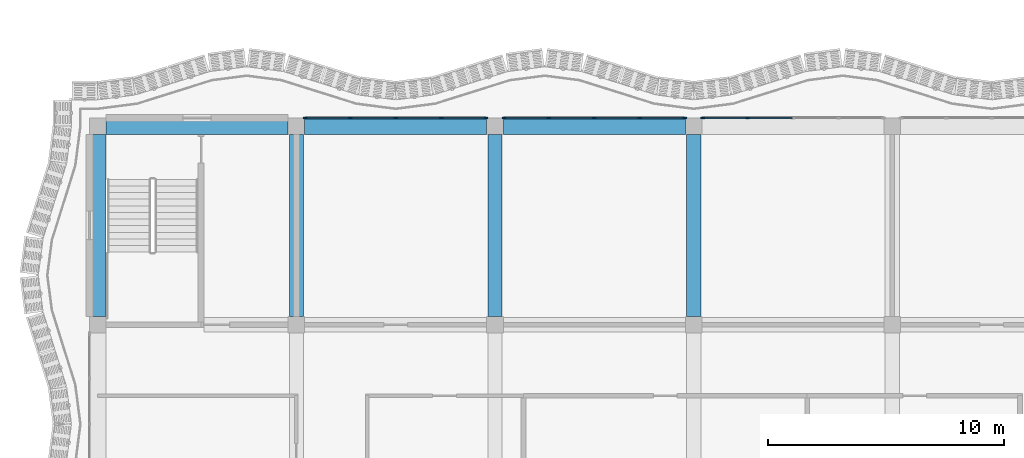
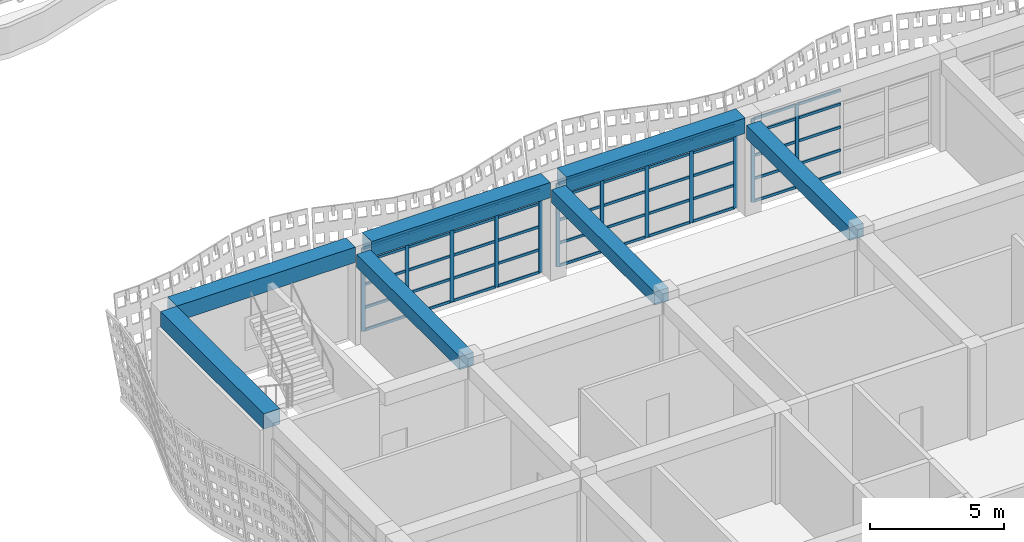
# One storey, part 9 of 163: 62 members, 7 beams, 3 elements without a shape of their own.
"""IFC4 building model written with IfcOpenShell, lengths in metres."""

from ifc_helpers import new_model, si_unit, direction, frame, origin, origin_2d, place, context, subcontext, project, spatial, rectangle, extrude, material, material_profile, profile_set, type_object, element, aggregate, save


model = new_model("IFC4")

# Units and contexts
model_context = context("Model", 3, precision=1e-05, world=origin(), true_north=direction((0.0, 1.0)))
body_context = subcontext(model_context, "Body", "Model", "MODEL_VIEW")
ifc_project = project(units=[si_unit("LENGTHUNIT", "METRE"), si_unit("AREAUNIT", "SQUARE_METRE"), si_unit("VOLUMEUNIT", "CUBIC_METRE"), si_unit("PLANEANGLEUNIT", "RADIAN"), si_unit("MASSUNIT", "GRAM", prefix="KILO")], contexts=[model_context])

# Site, building, storey
site_placement = place(None, origin())
site = spatial("IfcSite", under=ifc_project, at=site_placement, CompositionType="ELEMENT")
building_placement = place(site_placement, origin())
building = spatial("IfcBuilding", under=site, at=building_placement, Name="Rain Tree Exposition and Congress Centre", CompositionType="ELEMENT")
storey_placement = place(building_placement, frame((0.0, 0.0, 10.5)))
storey = spatial("IfcBuildingStorey", under=building, at=storey_placement, Name="L02", CompositionType="ELEMENT", Elevation=10.5)

# Beams
ifc_material_1 = material(Name="Precast concrete C50/60", Category="concrete")
ifc_material_profile_1 = material_profile(ifc_material_1, rectangle(XDim=0.60009765625, YDim=0.60009765625, at=origin_2d()), Name="RC 600x600")
ifc_profile_set_1 = profile_set([ifc_material_profile_1], Name="Precast concrete C50/60")
beam_type_1 = type_object("IfcBeamType", Name="Precast beam 600x600", PredefinedType="BEAM", material=ifc_profile_set_1)
for number, where, z_axis, x_axis, name in (
    (1, (8.39990234375, 42.35009765625, 3.85009765625), (0.0, 1.0, 0.0), (-1.0, 0.0, 0.0), "wing/beam/L02/L03/024"),
    (2, (16.800048828125, 42.35009765625, 3.85009765625), (0.0, 1.0, 0.0), (-1.0, 0.0, 0.0), "wing/beam/L02/L03/032"),
    (3, (25.199951171875, 42.35009765625, 3.85009765625), (0.0, 1.0, 0.0), (-1.0, 0.0, 0.0), "wing/beam/L02/L03/040"),
):
    element("IfcBeam", number, at=place(storey_placement, frame(where, z_axis=z_axis, x_axis=x_axis)), inside=storey, type_object=beam_type_1, Name=name, PredefinedType="BEAM", context=body_context, shape_type="SweptSolid", body=[
        extrude(rectangle(XDim=0.60009765625, YDim=0.60009765625, at=origin_2d()), origin(), (0.0, 0.0, 1.0), 7.699951171875),
    ])
ifc_material_2 = material(Name="Precast concrete C50/60", Category="concrete")
ifc_material_profile_2 = material_profile(ifc_material_2, rectangle(XDim=0.699951171875, YDim=0.699951171875, at=origin_2d()), Name="RC 700x700")
ifc_profile_set_2 = profile_set([ifc_material_profile_2], Name="Precast concrete C50/60")
beam_type_2 = type_object("IfcBeamType", Name="Precast spandrel beam 700x700", PredefinedType="SPANDREL", material=ifc_profile_set_2)
for number, where, z_axis, x_axis, name in (
    (4, (0.0, 42.35009765625, 4.14990234375), (0.0, 1.0, 0.0), (-1.0, 0.0, 0.0), "wing/beam/L02/L03/012"),
    (5, (0.35009765625, 50.39990234375, 4.14990234375), (1.0, 0.0, 0.0), (0.0, 1.0, 0.0), "wing/beam/L02/L03/061"),
    (6, (8.75, 50.39990234375, 4.14990234375), (1.0, 0.0, 0.0), (0.0, 1.0, 0.0), "wing/beam/L02/L03/063"),
):
    element("IfcBeam", number, at=place(storey_placement, frame(where, z_axis=z_axis, x_axis=x_axis)), inside=storey, type_object=beam_type_2, Name=name, PredefinedType="SPANDREL", context=body_context, shape_type="SweptSolid", body=[
        extrude(rectangle(XDim=0.699951171875, YDim=0.699951171875, at=origin_2d()), origin(), (0.0, 0.0, 1.0), 7.699951171875),
    ])
beam_placement = place(storey_placement, frame((17.14990234375, 50.39990234375, 4.14990234375), z_axis=(1.0, 0.0, 0.0), x_axis=(0.0, 1.0, 0.0)))
element("IfcBeam", 7, at=beam_placement, inside=storey, type_object=beam_type_2, Name="wing/beam/L02/L03/065", PredefinedType="SPANDREL", context=body_context, shape_type="SweptSolid", body=[
    extrude(rectangle(XDim=0.699951171875, YDim=0.699951171875, at=origin_2d()), origin(), (0.0, 0.0, 1.0), 7.7001953125),
])

# Curtain wall, members
ifc_material_3 = material(Name="Aluminium curtain wall", Category="aluminium")
curtain_wall_type = type_object("IfcCurtainWallType", Name="Wing curtain wall 1925", PredefinedType="NOTDEFINED", material=ifc_material_3)
curtain_wall_1_placement = place(storey_placement, origin())
curtain_wall_1 = element("IfcCurtainWall", 8, at=curtain_wall_1_placement, inside=storey, type_object=curtain_wall_type, Name="Curtain wall CWW304", PredefinedType="NOTDEFINED")
ifc_material_4 = material(Name="Aluminium", Category="aluminium")
ifc_material_profile_3 = material_profile(ifc_material_4, rectangle(XDim=0.06005859375, YDim=0.159912109375, at=origin_2d()), Name="Aluminium 60x160")
ifc_profile_set_3 = profile_set([ifc_material_profile_3], Name="Aluminium")
member_type_1 = type_object("IfcMemberType", Name="Wing mullion 60x160", PredefinedType="MULLION", material=ifc_profile_set_3)
member_1_placement = place(storey_placement, frame((8.780029296875, 50.75, 0.0), z_axis=(0.0, 0.0, 1.0), x_axis=(0.0, 1.0, 0.0)))
member_1 = element("IfcMember", 9, at=member_1_placement, type_object=member_type_1, Name="CWW304 mullion 1", PredefinedType="MULLION", context=body_context, shape_type="SweptSolid", body=[
    extrude(rectangle(XDim=0.06005859375, YDim=0.159912109375, at=origin_2d()), origin(), (0.0, 0.0, 1.0), 3.800048828125),
])
member_2_placement = place(storey_placement, frame((10.675048828125, 50.75, 0.0), z_axis=(0.0, 0.0, 1.0), x_axis=(0.0, 1.0, 0.0)))
member_2 = element("IfcMember", 10, at=member_2_placement, type_object=member_type_1, Name="CWW304 mullion 2", PredefinedType="MULLION", context=body_context, shape_type="SweptSolid", body=[
    extrude(rectangle(XDim=0.06005859375, YDim=0.159912109375, at=origin_2d()), origin(), (0.0, 0.0, 1.0), 3.800048828125),
])
member_3_placement = place(storey_placement, frame((12.60009765625, 50.75, 0.0), z_axis=(0.0, 0.0, 1.0), x_axis=(0.0, 1.0, 0.0)))
member_3 = element("IfcMember", 11, at=member_3_placement, type_object=member_type_1, Name="CWW304 mullion 3", PredefinedType="MULLION", context=body_context, shape_type="SweptSolid", body=[
    extrude(rectangle(XDim=0.06005859375, YDim=0.159912109375, at=origin_2d()), origin(), (0.0, 0.0, 1.0), 3.800048828125),
])
member_4_placement = place(storey_placement, frame((14.52490234375, 50.75, 0.0), z_axis=(0.0, 0.0, 1.0), x_axis=(0.0, 1.0, 0.0)))
member_4 = element("IfcMember", 12, at=member_4_placement, type_object=member_type_1, Name="CWW304 mullion 4", PredefinedType="MULLION", context=body_context, shape_type="SweptSolid", body=[
    extrude(rectangle(XDim=0.06005859375, YDim=0.159912109375, at=origin_2d()), origin(), (0.0, 0.0, 1.0), 3.800048828125),
])
member_5_placement = place(storey_placement, frame((16.419921875, 50.75, 0.0), z_axis=(0.0, 0.0, 1.0), x_axis=(0.0, 1.0, 0.0)))
member_5 = element("IfcMember", 13, at=member_5_placement, type_object=member_type_1, Name="CWW304 mullion 5", PredefinedType="MULLION", context=body_context, shape_type="SweptSolid", body=[
    extrude(rectangle(XDim=0.06005859375, YDim=0.159912109375, at=origin_2d()), origin(), (0.0, 0.0, 1.0), 3.800048828125),
])

curtain_wall_2_placement = place(storey_placement, origin())
curtain_wall_2 = element("IfcCurtainWall", 14, at=curtain_wall_2_placement, inside=storey, type_object=curtain_wall_type, Name="Curtain wall CWW305", PredefinedType="NOTDEFINED")
member_6_placement = place(storey_placement, frame((17.179931640625, 50.75, 0.0), z_axis=(0.0, 0.0, 1.0), x_axis=(0.0, 1.0, 0.0)))
member_6 = element("IfcMember", 15, at=member_6_placement, type_object=member_type_1, Name="CWW305 mullion 1", PredefinedType="MULLION", context=body_context, shape_type="SweptSolid", body=[
    extrude(rectangle(XDim=0.06005859375, YDim=0.159912109375, at=origin_2d()), origin(), (0.0, 0.0, 1.0), 3.800048828125),
])
member_7_placement = place(storey_placement, frame((19.074951171875, 50.75, 0.0), z_axis=(0.0, 0.0, 1.0), x_axis=(0.0, 1.0, 0.0)))
member_7 = element("IfcMember", 16, at=member_7_placement, type_object=member_type_1, Name="CWW305 mullion 2", PredefinedType="MULLION", context=body_context, shape_type="SweptSolid", body=[
    extrude(rectangle(XDim=0.06005859375, YDim=0.159912109375, at=origin_2d()), origin(), (0.0, 0.0, 1.0), 3.800048828125),
])
member_8_placement = place(storey_placement, frame((21.0, 50.75, 0.0), z_axis=(0.0, 0.0, 1.0), x_axis=(0.0, 1.0, 0.0)))
member_8 = element("IfcMember", 17, at=member_8_placement, type_object=member_type_1, Name="CWW305 mullion 3", PredefinedType="MULLION", context=body_context, shape_type="SweptSolid", body=[
    extrude(rectangle(XDim=0.06005859375, YDim=0.159912109375, at=origin_2d()), origin(), (0.0, 0.0, 1.0), 3.800048828125),
])
member_9_placement = place(storey_placement, frame((22.925048828125, 50.75, 0.0), z_axis=(0.0, 0.0, 1.0), x_axis=(0.0, 1.0, 0.0)))
member_9 = element("IfcMember", 18, at=member_9_placement, type_object=member_type_1, Name="CWW305 mullion 4", PredefinedType="MULLION", context=body_context, shape_type="SweptSolid", body=[
    extrude(rectangle(XDim=0.06005859375, YDim=0.159912109375, at=origin_2d()), origin(), (0.0, 0.0, 1.0), 3.800048828125),
])
member_10_placement = place(storey_placement, frame((24.820068359375, 50.75, 0.0), z_axis=(0.0, 0.0, 1.0), x_axis=(0.0, 1.0, 0.0)))
member_10 = element("IfcMember", 19, at=member_10_placement, type_object=member_type_1, Name="CWW305 mullion 5", PredefinedType="MULLION", context=body_context, shape_type="SweptSolid", body=[
    extrude(rectangle(XDim=0.06005859375, YDim=0.159912109375, at=origin_2d()), origin(), (0.0, 0.0, 1.0), 3.800048828125),
])

curtain_wall_3_placement = place(storey_placement, origin())
curtain_wall_3 = element("IfcCurtainWall", 20, at=curtain_wall_3_placement, inside=storey, type_object=curtain_wall_type, Name="Curtain wall CWW306", PredefinedType="NOTDEFINED")
member_11_placement = place(storey_placement, frame((25.580078125, 50.75, 0.0), z_axis=(0.0, 0.0, 1.0), x_axis=(0.0, 1.0, 0.0)))
member_11 = element("IfcMember", 21, at=member_11_placement, type_object=member_type_1, Name="CWW306 mullion 1", PredefinedType="MULLION", context=body_context, shape_type="SweptSolid", body=[
    extrude(rectangle(XDim=0.06005859375, YDim=0.159912109375, at=origin_2d()), origin(), (0.0, 0.0, 1.0), 3.800048828125),
])
member_12_placement = place(storey_placement, frame((27.47509765625, 50.75, 0.0), z_axis=(0.0, 0.0, 1.0), x_axis=(0.0, 1.0, 0.0)))
member_12 = element("IfcMember", 22, at=member_12_placement, type_object=member_type_1, Name="CWW306 mullion 2", PredefinedType="MULLION", context=body_context, shape_type="SweptSolid", body=[
    extrude(rectangle(XDim=0.06005859375, YDim=0.159912109375, at=origin_2d()), origin(), (0.0, 0.0, 1.0), 3.800048828125),
])

# Member
ifc_material_5 = material(Name="Aluminium", Category="aluminium")
ifc_material_profile_4 = material_profile(ifc_material_5, rectangle(XDim=0.06005859375, YDim=0.1201171875, at=origin_2d()), Name="Aluminium 60x120")
ifc_profile_set_4 = profile_set([ifc_material_profile_4], Name="Aluminium")
member_type_2 = type_object("IfcMemberType", Name="Wing transom 60x120", PredefinedType="USERDEFINED", material=ifc_profile_set_4)
member_13_placement = place(storey_placement, frame((8.81005859375, 50.75, 0.030029296875), z_axis=(1.0, 0.0, 0.0), x_axis=(0.0, 1.0, 0.0)))
member_13 = element("IfcMember", 23, at=member_13_placement, type_object=member_type_2, Name="CWW304 transom 1.1", ObjectType="TRANSOM", PredefinedType="USERDEFINED", context=body_context, shape_type="SweptSolid", body=[
    extrude(rectangle(XDim=0.06005859375, YDim=0.1201171875, at=origin_2d()), origin(), (0.0, 0.0, 1.0), 1.8349609375),
])

member_14_placement = place(storey_placement, frame((8.81005859375, 50.75, 1.050048828125), z_axis=(1.0, 0.0, 0.0), x_axis=(0.0, 1.0, 0.0)))
member_14 = element("IfcMember", 24, at=member_14_placement, type_object=member_type_2, Name="CWW304 transom 1.2", ObjectType="TRANSOM", PredefinedType="USERDEFINED", context=body_context, shape_type="SweptSolid", body=[
    extrude(rectangle(XDim=0.06005859375, YDim=0.1201171875, at=origin_2d()), origin(), (0.0, 0.0, 1.0), 1.8349609375),
])

member_15_placement = place(storey_placement, frame((8.81005859375, 50.75, 2.10009765625), z_axis=(1.0, 0.0, 0.0), x_axis=(0.0, 1.0, 0.0)))
member_15 = element("IfcMember", 25, at=member_15_placement, type_object=member_type_2, Name="CWW304 transom 1.3", ObjectType="TRANSOM", PredefinedType="USERDEFINED", context=body_context, shape_type="SweptSolid", body=[
    extrude(rectangle(XDim=0.06005859375, YDim=0.1201171875, at=origin_2d()), origin(), (0.0, 0.0, 1.0), 1.8349609375),
])

member_16_placement = place(storey_placement, frame((8.81005859375, 50.75, 3.14990234375), z_axis=(1.0, 0.0, 0.0), x_axis=(0.0, 1.0, 0.0)))
member_16 = element("IfcMember", 26, at=member_16_placement, type_object=member_type_2, Name="CWW304 transom 1.4", ObjectType="TRANSOM", PredefinedType="USERDEFINED", context=body_context, shape_type="SweptSolid", body=[
    extrude(rectangle(XDim=0.06005859375, YDim=0.1201171875, at=origin_2d()), origin(), (0.0, 0.0, 1.0), 1.8349609375),
])

member_17_placement = place(storey_placement, frame((8.81005859375, 50.75, 3.77001953125), z_axis=(1.0, 0.0, 0.0), x_axis=(0.0, 1.0, 0.0)))
member_17 = element("IfcMember", 27, at=member_17_placement, type_object=member_type_2, Name="CWW304 transom 1.5", ObjectType="TRANSOM", PredefinedType="USERDEFINED", context=body_context, shape_type="SweptSolid", body=[
    extrude(rectangle(XDim=0.06005859375, YDim=0.1201171875, at=origin_2d()), origin(), (0.0, 0.0, 1.0), 1.8349609375),
])

member_18_placement = place(storey_placement, frame((10.705078125, 50.75, 0.030029296875), z_axis=(1.0, 0.0, 0.0), x_axis=(0.0, 1.0, 0.0)))
member_18 = element("IfcMember", 28, at=member_18_placement, type_object=member_type_2, Name="CWW304 transom 2.1", ObjectType="TRANSOM", PredefinedType="USERDEFINED", context=body_context, shape_type="SweptSolid", body=[
    extrude(rectangle(XDim=0.06005859375, YDim=0.1201171875, at=origin_2d()), origin(), (0.0, 0.0, 1.0), 1.864990234375),
])

member_19_placement = place(storey_placement, frame((10.705078125, 50.75, 1.050048828125), z_axis=(1.0, 0.0, 0.0), x_axis=(0.0, 1.0, 0.0)))
member_19 = element("IfcMember", 29, at=member_19_placement, type_object=member_type_2, Name="CWW304 transom 2.2", ObjectType="TRANSOM", PredefinedType="USERDEFINED", context=body_context, shape_type="SweptSolid", body=[
    extrude(rectangle(XDim=0.06005859375, YDim=0.1201171875, at=origin_2d()), origin(), (0.0, 0.0, 1.0), 1.864990234375),
])

member_20_placement = place(storey_placement, frame((10.705078125, 50.75, 2.10009765625), z_axis=(1.0, 0.0, 0.0), x_axis=(0.0, 1.0, 0.0)))
member_20 = element("IfcMember", 30, at=member_20_placement, type_object=member_type_2, Name="CWW304 transom 2.3", ObjectType="TRANSOM", PredefinedType="USERDEFINED", context=body_context, shape_type="SweptSolid", body=[
    extrude(rectangle(XDim=0.06005859375, YDim=0.1201171875, at=origin_2d()), origin(), (0.0, 0.0, 1.0), 1.864990234375),
])

member_21_placement = place(storey_placement, frame((10.705078125, 50.75, 3.14990234375), z_axis=(1.0, 0.0, 0.0), x_axis=(0.0, 1.0, 0.0)))
member_21 = element("IfcMember", 31, at=member_21_placement, type_object=member_type_2, Name="CWW304 transom 2.4", ObjectType="TRANSOM", PredefinedType="USERDEFINED", context=body_context, shape_type="SweptSolid", body=[
    extrude(rectangle(XDim=0.06005859375, YDim=0.1201171875, at=origin_2d()), origin(), (0.0, 0.0, 1.0), 1.864990234375),
])

member_22_placement = place(storey_placement, frame((10.705078125, 50.75, 3.77001953125), z_axis=(1.0, 0.0, 0.0), x_axis=(0.0, 1.0, 0.0)))
member_22 = element("IfcMember", 32, at=member_22_placement, type_object=member_type_2, Name="CWW304 transom 2.5", ObjectType="TRANSOM", PredefinedType="USERDEFINED", context=body_context, shape_type="SweptSolid", body=[
    extrude(rectangle(XDim=0.06005859375, YDim=0.1201171875, at=origin_2d()), origin(), (0.0, 0.0, 1.0), 1.864990234375),
])

member_23_placement = place(storey_placement, frame((12.6298828125, 50.75, 0.030029296875), z_axis=(1.0, 0.0, 0.0), x_axis=(0.0, 1.0, 0.0)))
member_23 = element("IfcMember", 33, at=member_23_placement, type_object=member_type_2, Name="CWW304 transom 3.1", ObjectType="TRANSOM", PredefinedType="USERDEFINED", context=body_context, shape_type="SweptSolid", body=[
    extrude(rectangle(XDim=0.06005859375, YDim=0.1201171875, at=origin_2d()), origin(), (0.0, 0.0, 1.0), 1.865234375),
])

member_24_placement = place(storey_placement, frame((12.6298828125, 50.75, 1.050048828125), z_axis=(1.0, 0.0, 0.0), x_axis=(0.0, 1.0, 0.0)))
member_24 = element("IfcMember", 34, at=member_24_placement, type_object=member_type_2, Name="CWW304 transom 3.2", ObjectType="TRANSOM", PredefinedType="USERDEFINED", context=body_context, shape_type="SweptSolid", body=[
    extrude(rectangle(XDim=0.06005859375, YDim=0.1201171875, at=origin_2d()), origin(), (0.0, 0.0, 1.0), 1.865234375),
])

member_25_placement = place(storey_placement, frame((12.6298828125, 50.75, 2.10009765625), z_axis=(1.0, 0.0, 0.0), x_axis=(0.0, 1.0, 0.0)))
member_25 = element("IfcMember", 35, at=member_25_placement, type_object=member_type_2, Name="CWW304 transom 3.3", ObjectType="TRANSOM", PredefinedType="USERDEFINED", context=body_context, shape_type="SweptSolid", body=[
    extrude(rectangle(XDim=0.06005859375, YDim=0.1201171875, at=origin_2d()), origin(), (0.0, 0.0, 1.0), 1.865234375),
])

member_26_placement = place(storey_placement, frame((12.6298828125, 50.75, 3.14990234375), z_axis=(1.0, 0.0, 0.0), x_axis=(0.0, 1.0, 0.0)))
member_26 = element("IfcMember", 36, at=member_26_placement, type_object=member_type_2, Name="CWW304 transom 3.4", ObjectType="TRANSOM", PredefinedType="USERDEFINED", context=body_context, shape_type="SweptSolid", body=[
    extrude(rectangle(XDim=0.06005859375, YDim=0.1201171875, at=origin_2d()), origin(), (0.0, 0.0, 1.0), 1.865234375),
])

member_27_placement = place(storey_placement, frame((12.6298828125, 50.75, 3.77001953125), z_axis=(1.0, 0.0, 0.0), x_axis=(0.0, 1.0, 0.0)))
member_27 = element("IfcMember", 37, at=member_27_placement, type_object=member_type_2, Name="CWW304 transom 3.5", ObjectType="TRANSOM", PredefinedType="USERDEFINED", context=body_context, shape_type="SweptSolid", body=[
    extrude(rectangle(XDim=0.06005859375, YDim=0.1201171875, at=origin_2d()), origin(), (0.0, 0.0, 1.0), 1.865234375),
])

member_28_placement = place(storey_placement, frame((14.554931640625, 50.75, 0.030029296875), z_axis=(1.0, 0.0, 0.0), x_axis=(0.0, 1.0, 0.0)))
member_28 = element("IfcMember", 38, at=member_28_placement, type_object=member_type_2, Name="CWW304 transom 4.1", ObjectType="TRANSOM", PredefinedType="USERDEFINED", context=body_context, shape_type="SweptSolid", body=[
    extrude(rectangle(XDim=0.06005859375, YDim=0.1201171875, at=origin_2d()), origin(), (0.0, 0.0, 1.0), 1.8349609375),
])

member_29_placement = place(storey_placement, frame((14.554931640625, 50.75, 1.050048828125), z_axis=(1.0, 0.0, 0.0), x_axis=(0.0, 1.0, 0.0)))
member_29 = element("IfcMember", 39, at=member_29_placement, type_object=member_type_2, Name="CWW304 transom 4.2", ObjectType="TRANSOM", PredefinedType="USERDEFINED", context=body_context, shape_type="SweptSolid", body=[
    extrude(rectangle(XDim=0.06005859375, YDim=0.1201171875, at=origin_2d()), origin(), (0.0, 0.0, 1.0), 1.8349609375),
])

member_30_placement = place(storey_placement, frame((14.554931640625, 50.75, 2.10009765625), z_axis=(1.0, 0.0, 0.0), x_axis=(0.0, 1.0, 0.0)))
member_30 = element("IfcMember", 40, at=member_30_placement, type_object=member_type_2, Name="CWW304 transom 4.3", ObjectType="TRANSOM", PredefinedType="USERDEFINED", context=body_context, shape_type="SweptSolid", body=[
    extrude(rectangle(XDim=0.06005859375, YDim=0.1201171875, at=origin_2d()), origin(), (0.0, 0.0, 1.0), 1.8349609375),
])

member_31_placement = place(storey_placement, frame((14.554931640625, 50.75, 3.14990234375), z_axis=(1.0, 0.0, 0.0), x_axis=(0.0, 1.0, 0.0)))
member_31 = element("IfcMember", 41, at=member_31_placement, type_object=member_type_2, Name="CWW304 transom 4.4", ObjectType="TRANSOM", PredefinedType="USERDEFINED", context=body_context, shape_type="SweptSolid", body=[
    extrude(rectangle(XDim=0.06005859375, YDim=0.1201171875, at=origin_2d()), origin(), (0.0, 0.0, 1.0), 1.8349609375),
])

member_32_placement = place(storey_placement, frame((14.554931640625, 50.75, 3.77001953125), z_axis=(1.0, 0.0, 0.0), x_axis=(0.0, 1.0, 0.0)))
member_32 = element("IfcMember", 42, at=member_32_placement, type_object=member_type_2, Name="CWW304 transom 4.5", ObjectType="TRANSOM", PredefinedType="USERDEFINED", context=body_context, shape_type="SweptSolid", body=[
    extrude(rectangle(XDim=0.06005859375, YDim=0.1201171875, at=origin_2d()), origin(), (0.0, 0.0, 1.0), 1.8349609375),
])

aggregate(curtain_wall_1, [member_1, member_2, member_3, member_4, member_5, member_13, member_14, member_15, member_16, member_17, member_18, member_19, member_20, member_21, member_22, member_23, member_24, member_25, member_26, member_27, member_28, member_29, member_30, member_31, member_32])

member_33_placement = place(storey_placement, frame((17.2099609375, 50.75, 0.030029296875), z_axis=(1.0, 0.0, 0.0), x_axis=(0.0, 1.0, 0.0)))
member_33 = element("IfcMember", 43, at=member_33_placement, type_object=member_type_2, Name="CWW305 transom 1.1", ObjectType="TRANSOM", PredefinedType="USERDEFINED", context=body_context, shape_type="SweptSolid", body=[
    extrude(rectangle(XDim=0.06005859375, YDim=0.1201171875, at=origin_2d()), origin(), (0.0, 0.0, 1.0), 1.8349609375),
])

member_34_placement = place(storey_placement, frame((17.2099609375, 50.75, 1.050048828125), z_axis=(1.0, 0.0, 0.0), x_axis=(0.0, 1.0, 0.0)))
member_34 = element("IfcMember", 44, at=member_34_placement, type_object=member_type_2, Name="CWW305 transom 1.2", ObjectType="TRANSOM", PredefinedType="USERDEFINED", context=body_context, shape_type="SweptSolid", body=[
    extrude(rectangle(XDim=0.06005859375, YDim=0.1201171875, at=origin_2d()), origin(), (0.0, 0.0, 1.0), 1.8349609375),
])

member_35_placement = place(storey_placement, frame((17.2099609375, 50.75, 2.10009765625), z_axis=(1.0, 0.0, 0.0), x_axis=(0.0, 1.0, 0.0)))
member_35 = element("IfcMember", 45, at=member_35_placement, type_object=member_type_2, Name="CWW305 transom 1.3", ObjectType="TRANSOM", PredefinedType="USERDEFINED", context=body_context, shape_type="SweptSolid", body=[
    extrude(rectangle(XDim=0.06005859375, YDim=0.1201171875, at=origin_2d()), origin(), (0.0, 0.0, 1.0), 1.8349609375),
])

member_36_placement = place(storey_placement, frame((17.2099609375, 50.75, 3.14990234375), z_axis=(1.0, 0.0, 0.0), x_axis=(0.0, 1.0, 0.0)))
member_36 = element("IfcMember", 46, at=member_36_placement, type_object=member_type_2, Name="CWW305 transom 1.4", ObjectType="TRANSOM", PredefinedType="USERDEFINED", context=body_context, shape_type="SweptSolid", body=[
    extrude(rectangle(XDim=0.06005859375, YDim=0.1201171875, at=origin_2d()), origin(), (0.0, 0.0, 1.0), 1.8349609375),
])

member_37_placement = place(storey_placement, frame((17.2099609375, 50.75, 3.77001953125), z_axis=(1.0, 0.0, 0.0), x_axis=(0.0, 1.0, 0.0)))
member_37 = element("IfcMember", 47, at=member_37_placement, type_object=member_type_2, Name="CWW305 transom 1.5", ObjectType="TRANSOM", PredefinedType="USERDEFINED", context=body_context, shape_type="SweptSolid", body=[
    extrude(rectangle(XDim=0.06005859375, YDim=0.1201171875, at=origin_2d()), origin(), (0.0, 0.0, 1.0), 1.8349609375),
])

member_38_placement = place(storey_placement, frame((19.10498046875, 50.75, 0.030029296875), z_axis=(1.0, 0.0, 0.0), x_axis=(0.0, 1.0, 0.0)))
member_38 = element("IfcMember", 48, at=member_38_placement, type_object=member_type_2, Name="CWW305 transom 2.1", ObjectType="TRANSOM", PredefinedType="USERDEFINED", context=body_context, shape_type="SweptSolid", body=[
    extrude(rectangle(XDim=0.06005859375, YDim=0.1201171875, at=origin_2d()), origin(), (0.0, 0.0, 1.0), 1.864990234375),
])

member_39_placement = place(storey_placement, frame((19.10498046875, 50.75, 1.050048828125), z_axis=(1.0, 0.0, 0.0), x_axis=(0.0, 1.0, 0.0)))
member_39 = element("IfcMember", 49, at=member_39_placement, type_object=member_type_2, Name="CWW305 transom 2.2", ObjectType="TRANSOM", PredefinedType="USERDEFINED", context=body_context, shape_type="SweptSolid", body=[
    extrude(rectangle(XDim=0.06005859375, YDim=0.1201171875, at=origin_2d()), origin(), (0.0, 0.0, 1.0), 1.864990234375),
])

member_40_placement = place(storey_placement, frame((19.10498046875, 50.75, 2.10009765625), z_axis=(1.0, 0.0, 0.0), x_axis=(0.0, 1.0, 0.0)))
member_40 = element("IfcMember", 50, at=member_40_placement, type_object=member_type_2, Name="CWW305 transom 2.3", ObjectType="TRANSOM", PredefinedType="USERDEFINED", context=body_context, shape_type="SweptSolid", body=[
    extrude(rectangle(XDim=0.06005859375, YDim=0.1201171875, at=origin_2d()), origin(), (0.0, 0.0, 1.0), 1.864990234375),
])

member_41_placement = place(storey_placement, frame((19.10498046875, 50.75, 3.14990234375), z_axis=(1.0, 0.0, 0.0), x_axis=(0.0, 1.0, 0.0)))
member_41 = element("IfcMember", 51, at=member_41_placement, type_object=member_type_2, Name="CWW305 transom 2.4", ObjectType="TRANSOM", PredefinedType="USERDEFINED", context=body_context, shape_type="SweptSolid", body=[
    extrude(rectangle(XDim=0.06005859375, YDim=0.1201171875, at=origin_2d()), origin(), (0.0, 0.0, 1.0), 1.864990234375),
])

member_42_placement = place(storey_placement, frame((19.10498046875, 50.75, 3.77001953125), z_axis=(1.0, 0.0, 0.0), x_axis=(0.0, 1.0, 0.0)))
member_42 = element("IfcMember", 52, at=member_42_placement, type_object=member_type_2, Name="CWW305 transom 2.5", ObjectType="TRANSOM", PredefinedType="USERDEFINED", context=body_context, shape_type="SweptSolid", body=[
    extrude(rectangle(XDim=0.06005859375, YDim=0.1201171875, at=origin_2d()), origin(), (0.0, 0.0, 1.0), 1.864990234375),
])

member_43_placement = place(storey_placement, frame((21.030029296875, 50.75, 0.030029296875), z_axis=(1.0, 0.0, 0.0), x_axis=(0.0, 1.0, 0.0)))
member_43 = element("IfcMember", 53, at=member_43_placement, type_object=member_type_2, Name="CWW305 transom 3.1", ObjectType="TRANSOM", PredefinedType="USERDEFINED", context=body_context, shape_type="SweptSolid", body=[
    extrude(rectangle(XDim=0.06005859375, YDim=0.1201171875, at=origin_2d()), origin(), (0.0, 0.0, 1.0), 1.864990234375),
])

member_44_placement = place(storey_placement, frame((21.030029296875, 50.75, 1.050048828125), z_axis=(1.0, 0.0, 0.0), x_axis=(0.0, 1.0, 0.0)))
member_44 = element("IfcMember", 54, at=member_44_placement, type_object=member_type_2, Name="CWW305 transom 3.2", ObjectType="TRANSOM", PredefinedType="USERDEFINED", context=body_context, shape_type="SweptSolid", body=[
    extrude(rectangle(XDim=0.06005859375, YDim=0.1201171875, at=origin_2d()), origin(), (0.0, 0.0, 1.0), 1.864990234375),
])

member_45_placement = place(storey_placement, frame((21.030029296875, 50.75, 2.10009765625), z_axis=(1.0, 0.0, 0.0), x_axis=(0.0, 1.0, 0.0)))
member_45 = element("IfcMember", 55, at=member_45_placement, type_object=member_type_2, Name="CWW305 transom 3.3", ObjectType="TRANSOM", PredefinedType="USERDEFINED", context=body_context, shape_type="SweptSolid", body=[
    extrude(rectangle(XDim=0.06005859375, YDim=0.1201171875, at=origin_2d()), origin(), (0.0, 0.0, 1.0), 1.864990234375),
])

member_46_placement = place(storey_placement, frame((21.030029296875, 50.75, 3.14990234375), z_axis=(1.0, 0.0, 0.0), x_axis=(0.0, 1.0, 0.0)))
member_46 = element("IfcMember", 56, at=member_46_placement, type_object=member_type_2, Name="CWW305 transom 3.4", ObjectType="TRANSOM", PredefinedType="USERDEFINED", context=body_context, shape_type="SweptSolid", body=[
    extrude(rectangle(XDim=0.06005859375, YDim=0.1201171875, at=origin_2d()), origin(), (0.0, 0.0, 1.0), 1.864990234375),
])

member_47_placement = place(storey_placement, frame((21.030029296875, 50.75, 3.77001953125), z_axis=(1.0, 0.0, 0.0), x_axis=(0.0, 1.0, 0.0)))
member_47 = element("IfcMember", 57, at=member_47_placement, type_object=member_type_2, Name="CWW305 transom 3.5", ObjectType="TRANSOM", PredefinedType="USERDEFINED", context=body_context, shape_type="SweptSolid", body=[
    extrude(rectangle(XDim=0.06005859375, YDim=0.1201171875, at=origin_2d()), origin(), (0.0, 0.0, 1.0), 1.864990234375),
])

member_48_placement = place(storey_placement, frame((22.955078125, 50.75, 0.030029296875), z_axis=(1.0, 0.0, 0.0), x_axis=(0.0, 1.0, 0.0)))
member_48 = element("IfcMember", 58, at=member_48_placement, type_object=member_type_2, Name="CWW305 transom 4.1", ObjectType="TRANSOM", PredefinedType="USERDEFINED", context=body_context, shape_type="SweptSolid", body=[
    extrude(rectangle(XDim=0.06005859375, YDim=0.1201171875, at=origin_2d()), origin(), (0.0, 0.0, 1.0), 1.8349609375),
])

member_49_placement = place(storey_placement, frame((22.955078125, 50.75, 1.050048828125), z_axis=(1.0, 0.0, 0.0), x_axis=(0.0, 1.0, 0.0)))
member_49 = element("IfcMember", 59, at=member_49_placement, type_object=member_type_2, Name="CWW305 transom 4.2", ObjectType="TRANSOM", PredefinedType="USERDEFINED", context=body_context, shape_type="SweptSolid", body=[
    extrude(rectangle(XDim=0.06005859375, YDim=0.1201171875, at=origin_2d()), origin(), (0.0, 0.0, 1.0), 1.8349609375),
])

member_50_placement = place(storey_placement, frame((22.955078125, 50.75, 2.10009765625), z_axis=(1.0, 0.0, 0.0), x_axis=(0.0, 1.0, 0.0)))
member_50 = element("IfcMember", 60, at=member_50_placement, type_object=member_type_2, Name="CWW305 transom 4.3", ObjectType="TRANSOM", PredefinedType="USERDEFINED", context=body_context, shape_type="SweptSolid", body=[
    extrude(rectangle(XDim=0.06005859375, YDim=0.1201171875, at=origin_2d()), origin(), (0.0, 0.0, 1.0), 1.8349609375),
])

member_51_placement = place(storey_placement, frame((22.955078125, 50.75, 3.14990234375), z_axis=(1.0, 0.0, 0.0), x_axis=(0.0, 1.0, 0.0)))
member_51 = element("IfcMember", 61, at=member_51_placement, type_object=member_type_2, Name="CWW305 transom 4.4", ObjectType="TRANSOM", PredefinedType="USERDEFINED", context=body_context, shape_type="SweptSolid", body=[
    extrude(rectangle(XDim=0.06005859375, YDim=0.1201171875, at=origin_2d()), origin(), (0.0, 0.0, 1.0), 1.8349609375),
])

member_52_placement = place(storey_placement, frame((22.955078125, 50.75, 3.77001953125), z_axis=(1.0, 0.0, 0.0), x_axis=(0.0, 1.0, 0.0)))
member_52 = element("IfcMember", 62, at=member_52_placement, type_object=member_type_2, Name="CWW305 transom 4.5", ObjectType="TRANSOM", PredefinedType="USERDEFINED", context=body_context, shape_type="SweptSolid", body=[
    extrude(rectangle(XDim=0.06005859375, YDim=0.1201171875, at=origin_2d()), origin(), (0.0, 0.0, 1.0), 1.8349609375),
])

aggregate(curtain_wall_2, [member_6, member_7, member_8, member_9, member_10, member_33, member_34, member_35, member_36, member_37, member_38, member_39, member_40, member_41, member_42, member_43, member_44, member_45, member_46, member_47, member_48, member_49, member_50, member_51, member_52])

member_53_placement = place(storey_placement, frame((25.610107421875, 50.75, 0.030029296875), z_axis=(1.0, 0.0, 0.0), x_axis=(0.0, 1.0, 0.0)))
member_53 = element("IfcMember", 63, at=member_53_placement, type_object=member_type_2, Name="CWW306 transom 1.1", ObjectType="TRANSOM", PredefinedType="USERDEFINED", context=body_context, shape_type="SweptSolid", body=[
    extrude(rectangle(XDim=0.06005859375, YDim=0.1201171875, at=origin_2d()), origin(), (0.0, 0.0, 1.0), 1.8349609375),
])

member_54_placement = place(storey_placement, frame((25.610107421875, 50.75, 1.050048828125), z_axis=(1.0, 0.0, 0.0), x_axis=(0.0, 1.0, 0.0)))
member_54 = element("IfcMember", 64, at=member_54_placement, type_object=member_type_2, Name="CWW306 transom 1.2", ObjectType="TRANSOM", PredefinedType="USERDEFINED", context=body_context, shape_type="SweptSolid", body=[
    extrude(rectangle(XDim=0.06005859375, YDim=0.1201171875, at=origin_2d()), origin(), (0.0, 0.0, 1.0), 1.8349609375),
])

member_55_placement = place(storey_placement, frame((25.610107421875, 50.75, 2.10009765625), z_axis=(1.0, 0.0, 0.0), x_axis=(0.0, 1.0, 0.0)))
member_55 = element("IfcMember", 65, at=member_55_placement, type_object=member_type_2, Name="CWW306 transom 1.3", ObjectType="TRANSOM", PredefinedType="USERDEFINED", context=body_context, shape_type="SweptSolid", body=[
    extrude(rectangle(XDim=0.06005859375, YDim=0.1201171875, at=origin_2d()), origin(), (0.0, 0.0, 1.0), 1.8349609375),
])

member_56_placement = place(storey_placement, frame((25.610107421875, 50.75, 3.14990234375), z_axis=(1.0, 0.0, 0.0), x_axis=(0.0, 1.0, 0.0)))
member_56 = element("IfcMember", 66, at=member_56_placement, type_object=member_type_2, Name="CWW306 transom 1.4", ObjectType="TRANSOM", PredefinedType="USERDEFINED", context=body_context, shape_type="SweptSolid", body=[
    extrude(rectangle(XDim=0.06005859375, YDim=0.1201171875, at=origin_2d()), origin(), (0.0, 0.0, 1.0), 1.8349609375),
])

member_57_placement = place(storey_placement, frame((25.610107421875, 50.75, 3.77001953125), z_axis=(1.0, 0.0, 0.0), x_axis=(0.0, 1.0, 0.0)))
member_57 = element("IfcMember", 67, at=member_57_placement, type_object=member_type_2, Name="CWW306 transom 1.5", ObjectType="TRANSOM", PredefinedType="USERDEFINED", context=body_context, shape_type="SweptSolid", body=[
    extrude(rectangle(XDim=0.06005859375, YDim=0.1201171875, at=origin_2d()), origin(), (0.0, 0.0, 1.0), 1.8349609375),
])

member_58_placement = place(storey_placement, frame((27.5048828125, 50.75, 0.030029296875), z_axis=(1.0, 0.0, 0.0), x_axis=(0.0, 1.0, 0.0)))
member_58 = element("IfcMember", 68, at=member_58_placement, type_object=member_type_2, Name="CWW306 transom 2.1", ObjectType="TRANSOM", PredefinedType="USERDEFINED", context=body_context, shape_type="SweptSolid", body=[
    extrude(rectangle(XDim=0.06005859375, YDim=0.1201171875, at=origin_2d()), origin(), (0.0, 0.0, 1.0), 1.865234375),
])

member_59_placement = place(storey_placement, frame((27.5048828125, 50.75, 1.050048828125), z_axis=(1.0, 0.0, 0.0), x_axis=(0.0, 1.0, 0.0)))
member_59 = element("IfcMember", 69, at=member_59_placement, type_object=member_type_2, Name="CWW306 transom 2.2", ObjectType="TRANSOM", PredefinedType="USERDEFINED", context=body_context, shape_type="SweptSolid", body=[
    extrude(rectangle(XDim=0.06005859375, YDim=0.1201171875, at=origin_2d()), origin(), (0.0, 0.0, 1.0), 1.865234375),
])

member_60_placement = place(storey_placement, frame((27.5048828125, 50.75, 2.10009765625), z_axis=(1.0, 0.0, 0.0), x_axis=(0.0, 1.0, 0.0)))
member_60 = element("IfcMember", 70, at=member_60_placement, type_object=member_type_2, Name="CWW306 transom 2.3", ObjectType="TRANSOM", PredefinedType="USERDEFINED", context=body_context, shape_type="SweptSolid", body=[
    extrude(rectangle(XDim=0.06005859375, YDim=0.1201171875, at=origin_2d()), origin(), (0.0, 0.0, 1.0), 1.865234375),
])

member_61_placement = place(storey_placement, frame((27.5048828125, 50.75, 3.14990234375), z_axis=(1.0, 0.0, 0.0), x_axis=(0.0, 1.0, 0.0)))
member_61 = element("IfcMember", 71, at=member_61_placement, type_object=member_type_2, Name="CWW306 transom 2.4", ObjectType="TRANSOM", PredefinedType="USERDEFINED", context=body_context, shape_type="SweptSolid", body=[
    extrude(rectangle(XDim=0.06005859375, YDim=0.1201171875, at=origin_2d()), origin(), (0.0, 0.0, 1.0), 1.865234375),
])

member_62_placement = place(storey_placement, frame((27.5048828125, 50.75, 3.77001953125), z_axis=(1.0, 0.0, 0.0), x_axis=(0.0, 1.0, 0.0)))
member_62 = element("IfcMember", 72, at=member_62_placement, type_object=member_type_2, Name="CWW306 transom 2.5", ObjectType="TRANSOM", PredefinedType="USERDEFINED", context=body_context, shape_type="SweptSolid", body=[
    extrude(rectangle(XDim=0.06005859375, YDim=0.1201171875, at=origin_2d()), origin(), (0.0, 0.0, 1.0), 1.865234375),
])

aggregate(curtain_wall_3, [member_11, member_12, member_53, member_54, member_55, member_56, member_57, member_58, member_59, member_60, member_61, member_62])

save(model, "model.ifc")
